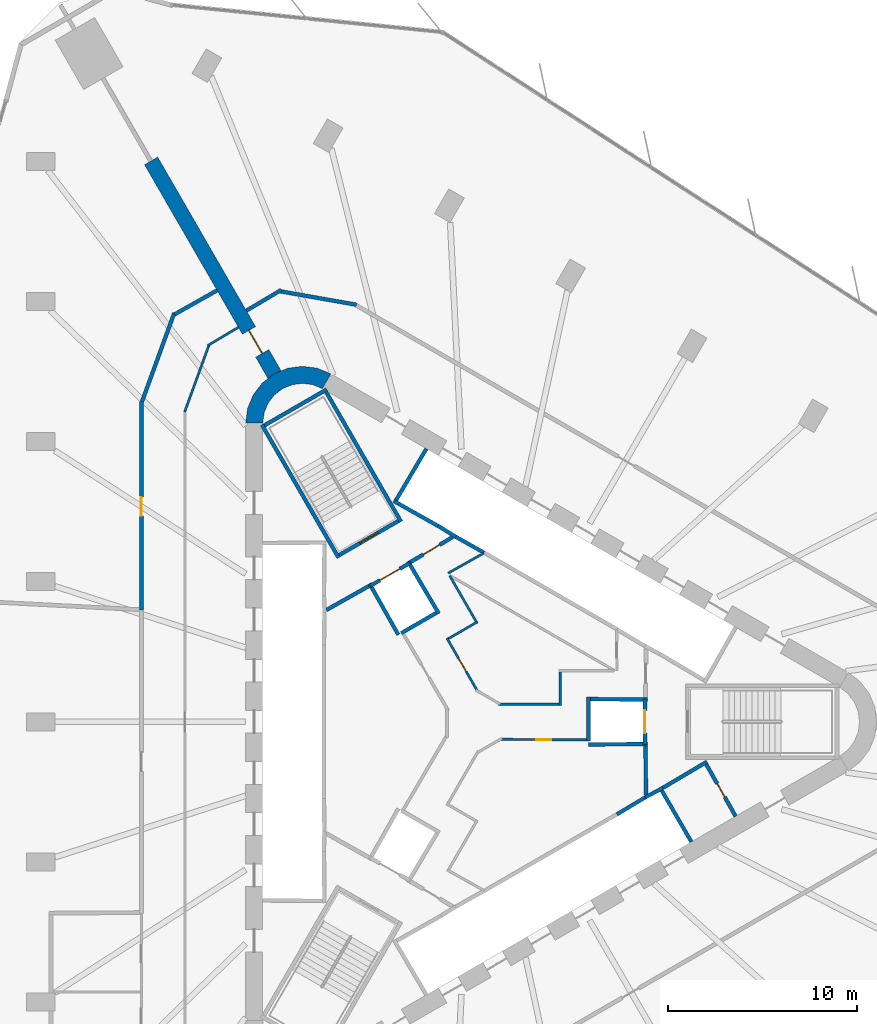
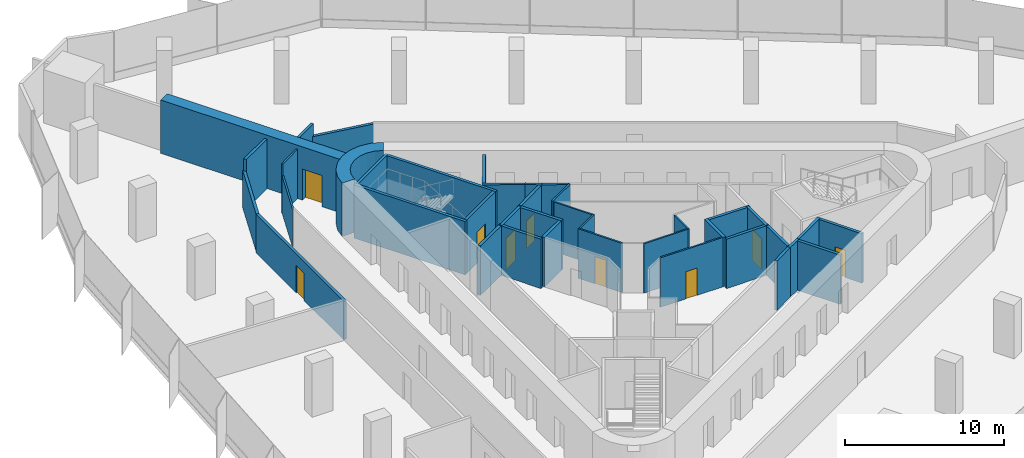
# One storey, part 11 of 14: 40 walls, 9 doors, 9 openings.
"""IFC4 building model written with IfcOpenShell, lengths in metres."""

from ifc_helpers import new_model, si_unit, direction, frame, frame_2d, origin, place, context, subcontext, project, spatial, polyline, rectangle, outline, extrude, material, layer, layer_set, type_object, element, fill, save


model = new_model("IFC4")

# Units and contexts
model_context = context("Model", 3, precision=1e-05, world=origin(), true_north=direction((0.0, 1.0)))
body_context = subcontext(model_context, "Body", "Model", "MODEL_VIEW")
ifc_project = project(units=[si_unit("LENGTHUNIT", "METRE"), si_unit("AREAUNIT", "SQUARE_METRE"), si_unit("VOLUMEUNIT", "CUBIC_METRE"), si_unit("PLANEANGLEUNIT", "RADIAN"), si_unit("MASSUNIT", "GRAM", prefix="KILO")], contexts=[model_context])

# Site, building, storey
site_placement = place(None, origin())
site = spatial("IfcSite", under=ifc_project, at=site_placement, CompositionType="ELEMENT")
building_placement = place(site_placement, origin())
building = spatial("IfcBuilding", under=site, at=building_placement, Name="Tanit Gate Tower", CompositionType="ELEMENT")
storey_placement = place(building_placement, frame((0.0, 0.0, 115.199951171875)))
storey = spatial("IfcBuildingStorey", under=building, at=storey_placement, Name="L24", CompositionType="ELEMENT", Elevation=115.199951171875)

# Wall, opening, door
ifc_material_1 = material(Name="Concrete C60/75", Category="concrete")
ifc_layer_1 = layer(ifc_material_1, 0.800048828125)
ifc_layer_set_1 = layer_set([ifc_layer_1], Name="BUTTRESS FIN 800 C60/75")
wall_type_1 = type_object("IfcWallType", Name="BUTTRESS FIN 800 C60/75", PredefinedType="SHEAR", material=ifc_layer_set_1)
wall_1_placement = place(storey_placement, frame((-10.574951171875, 18.31640625, 0.0), z_axis=(0.0, 0.0, 1.0), x_axis=(-0.500003112169, 0.866023606965, 0.0)))
wall_1 = element("IfcWall", 1, at=wall_1_placement, inside=storey, type_object=wall_type_1, Name="BUTTRESS FIN", PredefinedType="SHEAR", context=body_context, shape_type="SweptSolid", body=[
    extrude(rectangle(XDim=13.02685546875, YDim=0.800048828125, at=frame_2d((6.513427734375, 0.0))), origin(), (0.0, 0.0, 1.0), 4.10009765625),
])
opening_1_placement = place(wall_1_placement, frame((1.300048828125, 0.0, 0.0)))
opening_1 = element("IfcOpeningElement", 2, at=opening_1_placement, cuts=wall_1, Name="Opening P14-S05-F-NW-1", PredefinedType="OPENING", context=body_context, shape_type="SweptSolid", body=[
    extrude(rectangle(XDim=1.39990234375, YDim=2.39990234375, at=frame_2d((0.699951171875, 1.199951171875))), frame((0.0, 0.41015625, 0.0), z_axis=(0.0, -1.0, 0.0), x_axis=(1.0, 0.0, 0.0)), (0.0, 0.0, 1.0), 0.820068359375),
])
ifc_material_2 = material(Name="Timber door leaf", Category="wood")
door_type_1 = type_object("IfcDoorType", Name="INT-DOOR-FIN-PAIR-1400", OperationType="NOTDEFINED", PredefinedType="NOTDEFINED", material=ifc_material_2)
door_1_placement = place(opening_1_placement, origin())
door_1 = element("IfcDoor", 3, at=door_1_placement, inside=storey, type_object=door_type_1, Name="Door P14-S05-F-NW-1", OperationType="DOUBLE_DOOR_SINGLE_SWING", OverallHeight=2.39990234375, OverallWidth=1.39990234375, PredefinedType="NOTDEFINED", context=body_context, shape_type="SweptSolid", body=[
    extrude(rectangle(XDim=1.39990234375, YDim=2.39990234375, at=frame_2d((0.699951171875, 1.199951171875))), frame((0.0, 0.02490234375, 0.0), z_axis=(0.0, -1.0, 0.0), x_axis=(1.0, 0.0, 0.0)), (0.0, 0.0, 1.0), 0.050048828125),
])
fill(opening_1, door_1)

# Walls
ifc_material_3 = material(Name="Concrete C60/75", Category="concrete")
ifc_layer_2 = layer(ifc_material_3, 0.89990234375)
ifc_layer_set_2 = layer_set([ifc_layer_2], Name="CORE WALL 900 C60/75")
wall_type_2 = type_object("IfcWallType", Name="CORE WALL 900 C60/75", PredefinedType="SHEAR", material=ifc_layer_set_2)
wall_2_placement = place(storey_placement, origin())
element("IfcWall", 4, at=wall_2_placement, inside=storey, type_object=wall_type_2, Name="CORE WALL CORNER", PredefinedType="SHEAR", context=body_context, shape_type="SweptSolid", body=[
    extrude(outline(polyline([(-7.60009765625, 18.359619140625), (-8.323486328125, 18.659423828125), (-9.10009765625, 18.76171875), (-9.87646484375, 18.659423828125), (-10.60009765625, 18.359619140625), (-11.22119140625, 17.883056640625), (-11.697998046875, 17.26171875), (-11.997802734375, 16.5380859375), (-12.10009765625, 15.76171875), (-11.199951171875, 15.76171875), (-11.12841796875, 16.30517578125), (-10.918701171875, 16.811767578125), (-10.5849609375, 17.24658203125), (-10.14990234375, 17.580322265625), (-9.6435546875, 17.7900390625), (-9.10009765625, 17.86181640625), (-8.556396484375, 17.7900390625), (-8.050048828125, 17.580322265625), (-7.60009765625, 18.359619140625)])), origin(), (0.0, 0.0, 1.0), 4.10009765625),
])
ifc_material_4 = material(Name="Fire-rated gypsum board partition")
ifc_layer_3 = layer(ifc_material_4, 0.199951171875)
ifc_layer_set_3 = layer_set([ifc_layer_3], Name="INT-WALL-COMPARTMENT")
wall_type_3 = type_object("IfcWallType", Name="INT-WALL-COMPARTMENT", PredefinedType="PARTITIONING", material=ifc_layer_set_3)
wall_3_placement = place(storey_placement, frame((12.244873046875, -2.10888671875, 0.0), z_axis=(0.0, 0.0, 1.0), x_axis=(-0.860414880418, -0.509594185166, 0.0)))
element("IfcWall", 5, at=wall_3_placement, inside=storey, type_object=wall_type_3, Name="Wall Compartment W057", PredefinedType="PARTITIONING", context=body_context, shape_type="SweptSolid", body=[
    extrude(rectangle(XDim=2.7001953125, YDim=0.199951171875, at=frame_2d((1.35009765625, 0.0))), origin(), (0.0, 0.0, 1.0), 3.800048828125),
])

# Wall, opening, door
wall_4_placement = place(storey_placement, frame((13.758056640625, -4.989501953125, 0.0), z_axis=(0.0, 0.0, 1.0), x_axis=(-0.491993409184, 0.87059892334, 0.0)))
wall_4 = element("IfcWall", 6, at=wall_4_placement, inside=storey, type_object=wall_type_3, Name="Wall Compartment W058", PredefinedType="PARTITIONING", context=body_context, shape_type="SweptSolid", body=[
    extrude(rectangle(XDim=3.150146484375, YDim=0.199951171875, at=frame_2d((1.5751953125, 0.0))), origin(), (0.0, 0.0, 1.0), 3.800048828125),
])
opening_2_placement = place(wall_4_placement, frame((1.175048828125, 0.0, 0.0)))
opening_2 = element("IfcOpeningElement", 7, at=opening_2_placement, cuts=wall_4, Name="Opening R08-S05-14", PredefinedType="OPENING", context=body_context, shape_type="SweptSolid", body=[
    extrude(rectangle(XDim=0.800048828125, YDim=2.10009765625, at=frame_2d((0.39990234375, 1.050048828125))), frame((0.0, 0.10986328125, 0.0), z_axis=(0.0, -1.0, 0.0), x_axis=(1.0, 0.0, 0.0)), (0.0, 0.0, 1.0), 0.219970703125),
])
ifc_material_5 = material(Name="Timber door leaf", Category="wood")
door_type_2 = type_object("IfcDoorType", Name="INT-DOOR-RISER-800", OperationType="NOTDEFINED", PredefinedType="USERDEFINED", material=ifc_material_5)
door_2_placement = place(opening_2_placement, origin())
door_2 = element("IfcDoor", 8, at=door_2_placement, inside=storey, type_object=door_type_2, Name="Door R08-S05-14", ObjectType="FIRE DOOR", OperationType="SINGLE_SWING_LEFT", OverallHeight=2.10009765625, OverallWidth=0.800048828125, PredefinedType="USERDEFINED", context=body_context, shape_type="SweptSolid", body=[
    extrude(rectangle(XDim=0.800048828125, YDim=2.10009765625, at=frame_2d((0.39990234375, 1.050048828125))), frame((0.0, 0.02490234375, 0.0), z_axis=(0.0, -1.0, 0.0), x_axis=(1.0, 0.0, 0.0)), (0.0, 0.0, 1.0), 0.050048828125),
])
fill(opening_2, door_2)

# Walls
for number, where, z_axis, x_axis, name in (
    (9, (9.02880859375, -3.8505859375, 0.0), (0.0, 0.0, 1.0), (-0.010784614026, 0.999941844359, 0.0), "Wall Compartment W059"),
    (10, (-5.600341796875, 7.16015625, 0.0), (0.0, 0.0, 1.0), (-0.871340486379, -0.490678873396, 0.0), "Wall Compartment W061"),
):
    element("IfcWall", number, at=place(storey_placement, frame(where, z_axis=z_axis, x_axis=x_axis)), inside=storey, type_object=wall_type_3, Name=name, PredefinedType="PARTITIONING", context=body_context, shape_type="SweptSolid", body=[
        extrude(rectangle(XDim=2.580810546875, YDim=0.199951171875, at=frame_2d((1.29052734375, 0.0))), origin(), (0.0, 0.0, 1.0), 3.800048828125),
    ])

# Wall, opening, door
wall_5_placement = place(storey_placement, frame((-1.179443359375, 9.74462890625, 0.0), z_axis=(0.0, 0.0, 1.0), x_axis=(-0.860598681535, -0.509283721849, 0.0)))
wall_5 = element("IfcWall", 11, at=wall_5_placement, inside=storey, type_object=wall_type_3, Name="Wall Compartment W062", PredefinedType="PARTITIONING", context=body_context, shape_type="SweptSolid", body=[
    extrude(rectangle(XDim=2.5810546875, YDim=0.199951171875, at=frame_2d((1.29052734375, 0.0))), origin(), (0.0, 0.0, 1.0), 3.800048828125),
])
opening_3_placement = place(wall_5_placement, frame((0.79052734375, 0.0, 0.0)))
opening_3 = element("IfcOpeningElement", 12, at=opening_3_placement, cuts=wall_5, Name="Opening F10-S05-05", PredefinedType="OPENING", context=body_context, shape_type="SweptSolid", body=[
    extrude(rectangle(XDim=1.0, YDim=2.10009765625, at=frame_2d((0.5, 1.050048828125))), frame((0.0, 0.10986328125, 0.0), z_axis=(0.0, -1.0, 0.0), x_axis=(1.0, 0.0, 0.0)), (0.0, 0.0, 1.0), 0.219970703125),
])
ifc_material_6 = material(Name="Fire-rated steel door leaf", Category="steel")
door_type_3 = type_object("IfcDoorType", Name="INT-DOOR-FIRE-1000", OperationType="NOTDEFINED", PredefinedType="USERDEFINED", material=ifc_material_6)
door_3_placement = place(opening_3_placement, origin())
door_3 = element("IfcDoor", 13, at=door_3_placement, inside=storey, type_object=door_type_3, Name="Door F10-S05-05", ObjectType="FIRE DOOR", OperationType="SINGLE_SWING_LEFT", OverallHeight=2.10009765625, OverallWidth=1.0, PredefinedType="USERDEFINED", context=body_context, shape_type="SweptSolid", body=[
    extrude(rectangle(XDim=1.0, YDim=2.10009765625, at=frame_2d((0.5, 1.050048828125))), frame((0.0, 0.02490234375, 0.0), z_axis=(0.0, -1.0, 0.0), x_axis=(1.0, 0.0, 0.0)), (0.0, 0.0, 1.0), 0.050048828125),
])
fill(opening_3, door_3)

wall_6_placement = place(storey_placement, frame((-17.60009765625, 16.910888671875, 0.0), z_axis=(0.0, 0.0, 1.0), x_axis=(0.0, -1.0, 0.0)))
wall_6 = element("IfcWall", 14, at=wall_6_placement, inside=storey, type_object=wall_type_3, Name="Wall Compartment W092", PredefinedType="PARTITIONING", context=body_context, shape_type="SweptSolid", body=[
    extrude(rectangle(XDim=11.0224609375, YDim=0.199951171875, at=frame_2d((5.51123046875, 0.0))), origin(), (0.0, 0.0, 1.0), 2.97998046875),
])
opening_4_placement = place(wall_6_placement, frame((5.0498046875, 0.0, 0.0)))
opening_4 = element("IfcOpeningElement", 15, at=opening_4_placement, cuts=wall_6, Name="Opening F10-S05-21", PredefinedType="OPENING", context=body_context, shape_type="SweptSolid", body=[
    extrude(rectangle(XDim=1.0, YDim=2.10009765625, at=frame_2d((0.5, 1.050048828125))), frame((0.0, 0.10986328125, 0.0), z_axis=(0.0, -1.0, 0.0), x_axis=(1.0, 0.0, 0.0)), (0.0, 0.0, 1.0), 0.219970703125),
])
door_4_placement = place(opening_4_placement, origin())
door_4 = element("IfcDoor", 16, at=door_4_placement, inside=storey, type_object=door_type_3, Name="Door F10-S05-21", ObjectType="FIRE DOOR", OperationType="SINGLE_SWING_RIGHT", OverallHeight=2.10009765625, OverallWidth=1.0, PredefinedType="USERDEFINED", context=body_context, shape_type="SweptSolid", body=[
    extrude(rectangle(XDim=1.0, YDim=2.10009765625, at=frame_2d((0.5, 1.050048828125))), frame((0.0, 0.02490234375, 0.0), z_axis=(0.0, -1.0, 0.0), x_axis=(1.0, 0.0, 0.0)), (0.0, 0.0, 1.0), 0.050048828125),
])
fill(opening_4, door_4)

# Walls
wall_7_placement = place(storey_placement, frame((-15.864013671875, 21.58056640625, 0.0), z_axis=(0.0, 0.0, 1.0), x_axis=(-0.342030631204, -0.939688803444, 0.0)))
element("IfcWall", 17, at=wall_7_placement, inside=storey, type_object=wall_type_3, Name="Wall Compartment W093", PredefinedType="PARTITIONING", context=body_context, shape_type="SweptSolid", body=[
    extrude(rectangle(XDim=4.975830078125, YDim=0.199951171875, at=frame_2d((2.48779296875, 0.0))), origin(), (0.0, 0.0, 1.0), 2.880126953125),
])
wall_8_placement = place(storey_placement, frame((-13.6064453125, 22.76708984375, 0.0), z_axis=(0.0, 0.0, 1.0), x_axis=(-0.870922595713, -0.491420219645, 0.0)))
element("IfcWall", 18, at=wall_8_placement, inside=storey, type_object=wall_type_3, Name="Wall Compartment W094", PredefinedType="PARTITIONING", context=body_context, shape_type="SweptSolid", body=[
    extrude(rectangle(XDim=2.58935546875, YDim=0.199951171875, at=frame_2d((1.294677734375, 0.0))), origin(), (0.0, 0.0, 1.0), 3.800048828125),
])
wall_9_placement = place(storey_placement, frame((-10.228271484375, 22.786376953125, 0.0), z_axis=(0.0, 0.0, 1.0), x_axis=(-0.859754348804, -0.510707802674, 0.0)))
element("IfcWall", 19, at=wall_9_placement, inside=storey, type_object=wall_type_3, Name="Wall Compartment W099", PredefinedType="PARTITIONING", context=body_context, shape_type="SweptSolid", body=[
    extrude(rectangle(XDim=2.135498046875, YDim=0.199951171875, at=frame_2d((1.06787109375, 0.0))), origin(), (0.0, 0.0, 1.0), 3.800048828125),
])
wall_10_placement = place(storey_placement, frame((-6.25048828125, 22.008056640625, 0.0), z_axis=(0.0, 0.0, 1.0), x_axis=(-0.984810577443, 0.173632158762, 0.0)))
element("IfcWall", 20, at=wall_10_placement, inside=storey, type_object=wall_type_3, Name="Wall Compartment W100", PredefinedType="PARTITIONING", context=body_context, shape_type="SweptSolid", body=[
    extrude(rectangle(XDim=4.091796875, YDim=0.199951171875, at=frame_2d((2.0458984375, 0.0))), origin(), (0.0, 0.0, 1.0), 2.880126953125),
])

# Wall, opening, door
ifc_material_7 = material(Name="Gypsum board partition")
ifc_layer_4 = layer(ifc_material_7, 0.1201171875)
ifc_layer_set_4 = layer_set([ifc_layer_4], Name="INT-WALL-PARTITION")
wall_type_4 = type_object("IfcWallType", Name="INT-WALL-PARTITION", PredefinedType="PARTITIONING", material=ifc_layer_set_4)
wall_11_placement = place(storey_placement, frame((5.89990234375, -0.953857421875, 0.0), z_axis=(0.0, 0.0, 1.0), x_axis=(-0.999979855239, 0.006347370786, 0.0)))
wall_11 = element("IfcWall", 21, at=wall_11_placement, inside=storey, type_object=wall_type_4, Name="Wall Partition W073", PredefinedType="PARTITIONING", context=body_context, shape_type="SweptSolid", body=[
    extrude(rectangle(XDim=4.53857421875, YDim=0.1201171875, at=frame_2d((2.269287109375, 0.0))), origin(), (0.0, 0.0, 1.0), 3.800048828125),
])
opening_5_placement = place(wall_11_placement, frame((1.869384765625, 0.0, 0.0)))
opening_5 = element("IfcOpeningElement", 22, at=opening_5_placement, cuts=wall_11, Name="Opening R08-S05-11", PredefinedType="OPENING", context=body_context, shape_type="SweptSolid", body=[
    extrude(rectangle(XDim=0.800048828125, YDim=2.10009765625, at=frame_2d((0.39990234375, 1.050048828125))), frame((0.0, 0.070068359375, 0.0), z_axis=(0.0, -1.0, 0.0), x_axis=(1.0, 0.0, 0.0)), (0.0, 0.0, 1.0), 0.14013671875),
])
door_5_placement = place(opening_5_placement, origin())
door_5 = element("IfcDoor", 23, at=door_5_placement, inside=storey, type_object=door_type_2, Name="Door R08-S05-11", ObjectType="FIRE DOOR", OperationType="SINGLE_SWING_RIGHT", OverallHeight=2.10009765625, OverallWidth=0.800048828125, PredefinedType="USERDEFINED", context=body_context, shape_type="SweptSolid", body=[
    extrude(rectangle(XDim=0.800048828125, YDim=2.10009765625, at=frame_2d((0.39990234375, 1.050048828125))), frame((0.0, 0.02490234375, 0.0), z_axis=(0.0, -1.0, 0.0), x_axis=(1.0, 0.0, 0.0)), (0.0, 0.0, 1.0), 0.050048828125),
])
fill(opening_5, door_5)

# Walls
wall_12_placement = place(storey_placement, frame((0.475341796875, 8.9052734375, 0.0), z_axis=(0.0, 0.0, 1.0), x_axis=(-0.871843519779, -0.489784521009, 0.0)))
element("IfcWall", 24, at=wall_12_placement, inside=storey, type_object=wall_type_4, Name="Wall Partition W075", PredefinedType="PARTITIONING", context=body_context, shape_type="SweptSolid", body=[
    extrude(rectangle(XDim=2.164306640625, YDim=0.1201171875, at=frame_2d((1.08203125, 0.0))), origin(), (0.0, 0.0, 1.0), 3.800048828125),
])
wall_13_placement = place(storey_placement, frame((4.5, 0.864990234375, 0.0), z_axis=(0.0, 0.0, 1.0), x_axis=(0.0, 1.0, 0.0)))
element("IfcWall", 25, at=wall_13_placement, inside=storey, type_object=wall_type_4, Name="Wall Partition W078", PredefinedType="PARTITIONING", context=body_context, shape_type="SweptSolid", body=[
    extrude(rectangle(XDim=1.77490234375, YDim=0.1201171875, at=frame_2d((0.887451171875, 0.0))), origin(), (0.0, 0.0, 1.0), 3.800048828125),
])
wall_14_placement = place(storey_placement, frame((1.238525390625, 0.925048828125, 0.0), z_axis=(0.0, 0.0, 1.0), x_axis=(1.0, 0.0, 0.0)))
element("IfcWall", 26, at=wall_14_placement, inside=storey, type_object=wall_type_4, Name="Wall Partition W079", PredefinedType="PARTITIONING", context=body_context, shape_type="SweptSolid", body=[
    extrude(rectangle(XDim=3.201416015625, YDim=0.1201171875, at=frame_2d((1.6005859375, 0.0))), origin(), (0.0, 0.0, 1.0), 3.800048828125),
])

# Wall, opening, door
wall_15_placement = place(storey_placement, frame((-1.47900390625, 4.41162109375, 0.0), z_axis=(0.0, 0.0, 1.0), x_axis=(0.500013115284, -0.866017831539, 0.0)))
wall_15 = element("IfcWall", 27, at=wall_15_placement, inside=storey, type_object=wall_type_4, Name="Wall Partition W081", PredefinedType="PARTITIONING", context=body_context, shape_type="SweptSolid", body=[
    extrude(rectangle(XDim=3.19921875, YDim=0.1201171875, at=frame_2d((1.599609375, 0.0))), origin(), (0.0, 0.0, 1.0), 3.800048828125),
])
opening_6_placement = place(wall_15_placement, frame((1.2294921875, 0.0, 0.0)))
opening_6 = element("IfcOpeningElement", 28, at=opening_6_placement, cuts=wall_15, Name="Opening R08-S05-13", PredefinedType="OPENING", context=body_context, shape_type="SweptSolid", body=[
    extrude(rectangle(XDim=0.800048828125, YDim=2.10009765625, at=frame_2d((0.39990234375, 1.050048828125))), frame((0.0, 0.070068359375, 0.0), z_axis=(0.0, -1.0, 0.0), x_axis=(1.0, 0.0, 0.0)), (0.0, 0.0, 1.0), 0.14013671875),
])
door_6_placement = place(opening_6_placement, origin())
door_6 = element("IfcDoor", 29, at=door_6_placement, inside=storey, type_object=door_type_2, Name="Door R08-S05-13", ObjectType="FIRE DOOR", OperationType="SINGLE_SWING_RIGHT", OverallHeight=2.10009765625, OverallWidth=0.800048828125, PredefinedType="USERDEFINED", context=body_context, shape_type="SweptSolid", body=[
    extrude(rectangle(XDim=0.800048828125, YDim=2.10009765625, at=frame_2d((0.39990234375, 1.050048828125))), frame((0.0, 0.02490234375, 0.0), z_axis=(0.0, -1.0, 0.0), x_axis=(1.0, 0.0, 0.0)), (0.0, 0.0, 1.0), 0.050048828125),
])
fill(opening_6, door_6)

# Walls
wall_16_placement = place(storey_placement, frame((0.14013671875, 5.277099609375, 0.0), z_axis=(0.0, 0.0, 1.0), x_axis=(-0.866025242659, -0.500000279077, 0.0)))
element("IfcWall", 30, at=wall_16_placement, inside=storey, type_object=wall_type_4, Name="Wall Partition W082", PredefinedType="PARTITIONING", context=body_context, shape_type="SweptSolid", body=[
    extrude(rectangle(XDim=1.77490234375, YDim=0.1201171875, at=frame_2d((0.887451171875, 0.0))), origin(), (0.0, 0.0, 1.0), 3.800048828125),
])
wall_17_placement = place(storey_placement, frame((-1.330078125, 7.703857421875, 0.0), z_axis=(0.0, 0.0, 1.0), x_axis=(0.500006584067, -0.866021602438, 0.0)))
element("IfcWall", 31, at=wall_17_placement, inside=storey, type_object=wall_type_4, Name="Wall Partition W083", PredefinedType="PARTITIONING", context=body_context, shape_type="SweptSolid", body=[
    extrude(rectangle(XDim=2.77685546875, YDim=0.1201171875, at=frame_2d((1.388427734375, 0.0))), origin(), (0.0, 0.0, 1.0), 3.800048828125),
])
wall_18_placement = place(storey_placement, frame((-12.481689453125, 20.819091796875, 0.0), z_axis=(0.0, 0.0, 1.0), x_axis=(-0.85913200524, -0.511754040113, 0.0)))
element("IfcWall", 32, at=wall_18_placement, inside=storey, type_object=wall_type_4, Name="Wall Partition W084", PredefinedType="PARTITIONING", context=body_context, shape_type="SweptSolid", body=[
    extrude(rectangle(XDim=1.87451171875, YDim=0.1201171875, at=frame_2d((0.937255859375, 0.0))), origin(), (0.0, 0.0, 1.0), 3.800048828125),
])
wall_19_placement = place(storey_placement, frame((-14.038330078125, 19.87158203125, 0.0), z_axis=(0.0, 0.0, 1.0), x_axis=(-0.342035870777, -0.939686896313, 0.0)))
element("IfcWall", 33, at=wall_19_placement, inside=storey, type_object=wall_type_4, Name="Wall Partition W085", PredefinedType="PARTITIONING", context=body_context, shape_type="SweptSolid", body=[
    extrude(rectangle(XDim=3.748779296875, YDim=0.1201171875, at=frame_2d((1.87451171875, 0.0))), origin(), (0.0, 0.0, 1.0), 2.880126953125),
])
ifc_material_8 = material(Name="Gypsum shaft wall system")
ifc_layer_5 = layer(ifc_material_8, 0.199951171875)
ifc_layer_set_5 = layer_set([ifc_layer_5], Name="INT-WALL-SHAFT")
wall_type_5 = type_object("IfcWallType", Name="INT-WALL-SHAFT", PredefinedType="PLUMBINGWALL", material=ifc_layer_set_5)
wall_20_placement = place(storey_placement, frame((-1.940673828125, 10.338623046875, 0.0), z_axis=(0.0, 0.0, 1.0), x_axis=(0.850216889117, -0.526432561171, 0.0)))
element("IfcWall", 34, at=wall_20_placement, inside=storey, type_object=wall_type_5, Name="Wall Shaft W019", PredefinedType="PLUMBINGWALL", context=body_context, shape_type="SweptSolid", body=[
    extrude(rectangle(XDim=1.078369140625, YDim=0.199951171875, at=frame_2d((0.5390625, 0.0))), origin(), (0.0, 0.0, 1.0), 3.800048828125),
])
wall_21_placement = place(storey_placement, frame((0.478271484375, 8.928466796875, 0.0), z_axis=(0.0, 0.0, 1.0), x_axis=(-0.871988740738, 0.489525929882, 0.0)))
element("IfcWall", 35, at=wall_21_placement, inside=storey, type_object=wall_type_5, Name="Wall Shaft W020", PredefinedType="PLUMBINGWALL", context=body_context, shape_type="SweptSolid", body=[
    extrude(rectangle(XDim=1.8447265625, YDim=0.199951171875, at=frame_2d((0.92236328125, 0.0))), origin(), (0.0, 0.0, 1.0), 3.800048828125),
])
wall_22_placement = place(storey_placement, frame((-4.296142578125, 11.658935546875, 0.0), z_axis=(0.0, 0.0, 1.0), x_axis=(0.871534483978, -0.490334215854, 0.0)))
element("IfcWall", 36, at=wall_22_placement, inside=storey, type_object=wall_type_5, Name="Wall Shaft W021", PredefinedType="PLUMBINGWALL", context=body_context, shape_type="SweptSolid", body=[
    extrude(rectangle(XDim=2.7001953125, YDim=0.199951171875, at=frame_2d((1.35009765625, 0.0))), origin(), (0.0, 0.0, 1.0), 3.800048828125),
])
wall_23_placement = place(storey_placement, frame((-4.158203125, 11.696044921875, 0.0), z_axis=(0.0, 0.0, 1.0), x_axis=(0.508018930956, 0.861345903683, 0.0)))
element("IfcWall", 37, at=wall_23_placement, inside=storey, type_object=wall_type_5, Name="Wall Shaft W022", PredefinedType="PLUMBINGWALL", context=body_context, shape_type="SweptSolid", body=[
    extrude(rectangle(XDim=3.150146484375, YDim=0.199951171875, at=frame_2d((1.5751953125, 0.0))), origin(), (0.0, 0.0, 1.0), 3.800048828125),
])
wall_24_placement = place(storey_placement, frame((9.794677734375, -3.52490234375, 0.0), z_axis=(0.0, 0.0, 1.0), x_axis=(0.499984717929, -0.866034226713, 0.0)))
element("IfcWall", 38, at=wall_24_placement, inside=storey, type_object=wall_type_5, Name="Wall Shaft W024", PredefinedType="PLUMBINGWALL", context=body_context, shape_type="SweptSolid", body=[
    extrude(rectangle(XDim=3.25, YDim=0.199951171875, at=frame_2d((1.625, 0.0))), origin(), (0.0, 0.0, 1.0), 3.800048828125),
])
wall_25_placement = place(storey_placement, frame((8.97412109375, -3.998779296875, 0.0), z_axis=(0.0, 0.0, 1.0), x_axis=(0.880907015104, 0.473289373154, 0.0)))
element("IfcWall", 39, at=wall_25_placement, inside=storey, type_object=wall_type_5, Name="Wall Shaft W025", PredefinedType="PLUMBINGWALL", context=body_context, shape_type="SweptSolid", body=[
    extrude(rectangle(XDim=1.078125, YDim=0.199951171875, at=frame_2d((0.5390625, 0.0))), origin(), (0.0, 0.0, 1.0), 3.800048828125),
])
wall_26_placement = place(storey_placement, frame((7.497314453125, -4.885986328125, 0.0), z_axis=(0.0, 0.0, 1.0), x_axis=(0.857516281273, 0.51445682749, 0.0)))
element("IfcWall", 40, at=wall_26_placement, inside=storey, type_object=wall_type_5, Name="Wall Shaft W026", PredefinedType="PLUMBINGWALL", context=body_context, shape_type="SweptSolid", body=[
    extrude(rectangle(XDim=1.8447265625, YDim=0.199951171875, at=frame_2d((0.92236328125, 0.0))), origin(), (0.0, 0.0, 1.0), 3.800048828125),
])

# Wall, opening, door
wall_27_placement = place(storey_placement, frame((8.969970703125, 1.199951171875, 0.0), z_axis=(0.0, 0.0, 1.0), x_axis=(0.0, -1.0, 0.0)))
wall_27 = element("IfcWall", 41, at=wall_27_placement, inside=storey, type_object=wall_type_5, Name="Wall Shaft W037", PredefinedType="PLUMBINGWALL", context=body_context, shape_type="SweptSolid", body=[
    extrude(rectangle(XDim=2.39990234375, YDim=0.199951171875, at=frame_2d((1.199951171875, 0.0))), origin(), (0.0, 0.0, 1.0), 3.800048828125),
])
opening_7_placement = place(wall_27_placement, frame((0.60009765625, 0.0, 0.0)))
opening_7 = element("IfcOpeningElement", 42, at=opening_7_placement, cuts=wall_27, Name="Opening LDFL1-L24", PredefinedType="OPENING", context=body_context, shape_type="SweptSolid", body=[
    extrude(rectangle(XDim=1.199951171875, YDim=2.39990234375, at=frame_2d((0.60009765625, 1.199951171875))), frame((0.0, 0.10986328125, 0.0), z_axis=(0.0, -1.0, 0.0), x_axis=(1.0, 0.0, 0.0)), (0.0, 0.0, 1.0), 0.219970703125),
])
ifc_material_9 = material(Name="Stainless steel sliding door leaf", Category="steel")
door_type_4 = type_object("IfcDoorType", Name="INT-DOOR-LANDING-1200", OperationType="NOTDEFINED", PredefinedType="USERDEFINED", material=ifc_material_9)
door_7_placement = place(opening_7_placement, origin())
door_7 = element("IfcDoor", 43, at=door_7_placement, inside=storey, type_object=door_type_4, Name="Door LDFL1-L24", ObjectType="LANDING DOOR", OperationType="SLIDING_TO_LEFT", OverallHeight=2.39990234375, OverallWidth=1.199951171875, PredefinedType="USERDEFINED", context=body_context, shape_type="SweptSolid", body=[
    extrude(rectangle(XDim=1.199951171875, YDim=2.39990234375, at=frame_2d((0.60009765625, 1.199951171875))), frame((0.0, 0.02490234375, 0.0), z_axis=(0.0, -1.0, 0.0), x_axis=(1.0, 0.0, 0.0)), (0.0, 0.0, 1.0), 0.050048828125),
])
fill(opening_7, door_7)

# Walls
wall_28_placement = place(storey_placement, frame((9.10009765625, -1.1689453125, 0.0), z_axis=(0.0, 0.0, 1.0), x_axis=(-0.999949988, -0.010001074852, 0.0)))
element("IfcWall", 44, at=wall_28_placement, inside=storey, type_object=wall_type_5, Name="Wall Shaft W038", PredefinedType="PLUMBINGWALL", context=body_context, shape_type="SweptSolid", body=[
    extrude(rectangle(XDim=3.100341796875, YDim=0.199951171875, at=frame_2d((1.55029296875, 0.0))), origin(), (0.0, 0.0, 1.0), 3.800048828125),
])
wall_29_placement = place(storey_placement, frame((6.0, -1.014404296875, 0.0), z_axis=(0.0, 0.0, 1.0), x_axis=(0.0, 1.0, 0.0)))
element("IfcWall", 45, at=wall_29_placement, inside=storey, type_object=wall_type_5, Name="Wall Shaft W039", PredefinedType="PLUMBINGWALL", context=body_context, shape_type="SweptSolid", body=[
    extrude(rectangle(XDim=2.314453125, YDim=0.199951171875, at=frame_2d((1.1572265625, 0.0))), origin(), (0.0, 0.0, 1.0), 3.800048828125),
])
wall_30_placement = place(storey_placement, frame((9.10009765625, 1.1689453125, 0.0), z_axis=(0.0, 0.0, 1.0), x_axis=(-0.99994990606, 0.010009264196, 0.0)))
element("IfcWall", 46, at=wall_30_placement, inside=storey, type_object=wall_type_5, Name="Wall Shaft W040", PredefinedType="PLUMBINGWALL", context=body_context, shape_type="SweptSolid", body=[
    extrude(rectangle(XDim=3.000244140625, YDim=0.199951171875, at=frame_2d((1.5, 0.0))), origin(), (0.0, 0.0, 1.0), 3.800048828125),
])

# Wall, opening, door
wall_31_placement = place(storey_placement, frame((-5.524169921875, 7.168212890625, 0.0), z_axis=(0.0, 0.0, 1.0), x_axis=(0.866024647952, 0.500001309137, 0.0)))
wall_31 = element("IfcWall", 47, at=wall_31_placement, inside=storey, type_object=wall_type_5, Name="Wall Shaft W045", PredefinedType="PLUMBINGWALL", context=body_context, shape_type="SweptSolid", body=[
    extrude(rectangle(XDim=2.39990234375, YDim=0.199951171875, at=frame_2d((1.199951171875, 0.0))), origin(), (0.0, 0.0, 1.0), 3.800048828125),
])
opening_8_placement = place(wall_31_placement, frame((0.60009765625, 0.0, 0.0)))
opening_8 = element("IfcOpeningElement", 48, at=opening_8_placement, cuts=wall_31, Name="Opening LDFL2-L24", PredefinedType="OPENING", context=body_context, shape_type="SweptSolid", body=[
    extrude(rectangle(XDim=1.199951171875, YDim=2.39990234375, at=frame_2d((0.60009765625, 1.199951171875))), frame((0.0, 0.10986328125, 0.0), z_axis=(0.0, -1.0, 0.0), x_axis=(1.0, 0.0, 0.0)), (0.0, 0.0, 1.0), 0.219970703125),
])
door_8_placement = place(opening_8_placement, origin())
door_8 = element("IfcDoor", 49, at=door_8_placement, inside=storey, type_object=door_type_4, Name="Door LDFL2-L24", ObjectType="LANDING DOOR", OperationType="SLIDING_TO_LEFT", OverallHeight=2.39990234375, OverallWidth=1.199951171875, PredefinedType="USERDEFINED", context=body_context, shape_type="SweptSolid", body=[
    extrude(rectangle(XDim=1.199951171875, YDim=2.39990234375, at=frame_2d((0.60009765625, 1.199951171875))), frame((0.0, 0.02490234375, 0.0), z_axis=(0.0, -1.0, 0.0), x_axis=(1.0, 0.0, 0.0)), (0.0, 0.0, 1.0), 0.050048828125),
])
fill(opening_8, door_8)

# Walls
wall_32_placement = place(storey_placement, frame((-4.039306640625, 4.59619140625, 0.0), z_axis=(0.0, 0.0, 1.0), x_axis=(-0.491322718731, 0.870977603649, 0.0)))
element("IfcWall", 50, at=wall_32_placement, inside=storey, type_object=wall_type_5, Name="Wall Shaft W046", PredefinedType="PLUMBINGWALL", context=body_context, shape_type="SweptSolid", body=[
    extrude(rectangle(XDim=3.10009765625, YDim=0.199951171875, at=frame_2d((1.550048828125, 0.0))), origin(), (0.0, 0.0, 1.0), 3.800048828125),
])
wall_33_placement = place(storey_placement, frame((-3.53759765625, 8.46533203125, 0.0), z_axis=(0.0, 0.0, 1.0), x_axis=(0.508616218331, -0.860993346345, 0.0)))
element("IfcWall", 51, at=wall_33_placement, inside=storey, type_object=wall_type_5, Name="Wall Shaft W047", PredefinedType="PLUMBINGWALL", context=body_context, shape_type="SweptSolid", body=[
    extrude(rectangle(XDim=3.2001953125, YDim=0.199951171875, at=frame_2d((1.60009765625, 0.0))), origin(), (0.0, 0.0, 1.0), 3.800048828125),
])
wall_34_placement = place(storey_placement, frame((-2.04736328125, 5.74609375, 0.0), z_axis=(0.0, 0.0, 1.0), x_axis=(-0.866040491692, -0.499973866067, 0.0)))
element("IfcWall", 52, at=wall_34_placement, inside=storey, type_object=wall_type_5, Name="Wall Shaft W048", PredefinedType="PLUMBINGWALL", context=body_context, shape_type="SweptSolid", body=[
    extrude(rectangle(XDim=2.12939453125, YDim=0.199951171875, at=frame_2d((1.064697265625, 0.0))), origin(), (0.0, 0.0, 1.0), 3.800048828125),
])
ifc_material_10 = material(Name="Concrete C40/50", Category="concrete")
ifc_layer_6 = layer(ifc_material_10, 0.199951171875)
ifc_layer_set_6 = layer_set([ifc_layer_6], Name="INT-WALL-STAIR")
wall_type_6 = type_object("IfcWallType", Name="INT-WALL-STAIR", PredefinedType="SHEAR", material=ifc_layer_set_6)
wall_35_placement = place(storey_placement, frame((-11.245361328125, 15.677734375, -0.300048828125), z_axis=(0.0, 0.0, 1.0), x_axis=(0.499977274689, -0.866038523851, 0.0)))
element("IfcWall", 53, at=wall_35_placement, inside=storey, type_object=wall_type_6, Name="Wall Stair W041", PredefinedType="SHEAR", context=body_context, shape_type="SweptSolid", body=[
    extrude(rectangle(XDim=8.10009765625, YDim=0.199951171875, at=frame_2d((4.050048828125, 0.0))), origin(), (0.0, 0.0, 1.0), 4.10009765625),
])
wall_36_placement = place(storey_placement, frame((-7.81787109375, 17.541015625, -0.300048828125), z_axis=(0.0, 0.0, 1.0), x_axis=(-0.866044365799, -0.499967155389, 0.0)))
element("IfcWall", 54, at=wall_36_placement, inside=storey, type_object=wall_type_6, Name="Wall Stair W042", PredefinedType="SHEAR", context=body_context, shape_type="SweptSolid", body=[
    extrude(rectangle(XDim=3.800048828125, YDim=0.199951171875, at=frame_2d((1.89990234375, 0.0))), origin(), (0.0, 0.0, 1.0), 4.10009765625),
])
wall_37_placement = place(storey_placement, frame((-7.8544921875, 17.404541015625, -0.300048828125), z_axis=(0.0, 0.0, 1.0), x_axis=(0.499997992926, -0.866026562566, 0.0)))
element("IfcWall", 55, at=wall_37_placement, inside=storey, type_object=wall_type_6, Name="Wall Stair W043", PredefinedType="SHEAR", context=body_context, shape_type="SweptSolid", body=[
    extrude(rectangle(XDim=7.89990234375, YDim=0.199951171875, at=frame_2d((3.949951171875, 0.0))), origin(), (0.0, 0.0, 1.0), 4.10009765625),
])

# Wall, opening, door
wall_38_placement = place(storey_placement, frame((-7.158935546875, 8.799560546875, -0.300048828125), z_axis=(0.0, 0.0, 1.0), x_axis=(0.866047807691, 0.499961193289, 0.0)))
wall_38 = element("IfcWall", 56, at=wall_38_placement, inside=storey, type_object=wall_type_6, Name="Wall Stair W044", PredefinedType="SHEAR", context=body_context, shape_type="SweptSolid", body=[
    extrude(rectangle(XDim=3.599853515625, YDim=0.199951171875, at=frame_2d((1.7998046875, 0.0))), origin(), (0.0, 0.0, 1.0), 4.10009765625),
])
opening_9_placement = place(wall_38_placement, frame((1.25, 0.0, 0.300048828125)))
opening_9 = element("IfcOpeningElement", 57, at=opening_9_placement, cuts=wall_38, Name="Opening S11-S05-04", PredefinedType="OPENING", context=body_context, shape_type="SweptSolid", body=[
    extrude(rectangle(XDim=1.10009765625, YDim=2.10009765625, at=frame_2d((0.550048828125, 1.050048828125))), frame((0.0, 0.10986328125, 0.0), z_axis=(0.0, -1.0, 0.0), x_axis=(1.0, 0.0, 0.0)), (0.0, 0.0, 1.0), 0.219970703125),
])
ifc_material_11 = material(Name="Timber door leaf", Category="wood")
door_type_5 = type_object("IfcDoorType", Name="INT-DOOR-STAIR-1100", OperationType="NOTDEFINED", PredefinedType="USERDEFINED", material=ifc_material_11)
door_9_placement = place(opening_9_placement, origin())
door_9 = element("IfcDoor", 58, at=door_9_placement, inside=storey, type_object=door_type_5, Name="Door S11-S05-04", ObjectType="FIRE DOOR", OperationType="SINGLE_SWING_LEFT", OverallHeight=2.10009765625, OverallWidth=1.10009765625, PredefinedType="USERDEFINED", context=body_context, shape_type="SweptSolid", body=[
    extrude(rectangle(XDim=1.10009765625, YDim=2.10009765625, at=frame_2d((0.550048828125, 1.050048828125))), frame((0.0, 0.02490234375, 0.0), z_axis=(0.0, -1.0, 0.0), x_axis=(1.0, 0.0, 0.0)), (0.0, 0.0, 1.0), 0.050048828125),
])
fill(opening_9, door_9)

save(model, "model.ifc")
